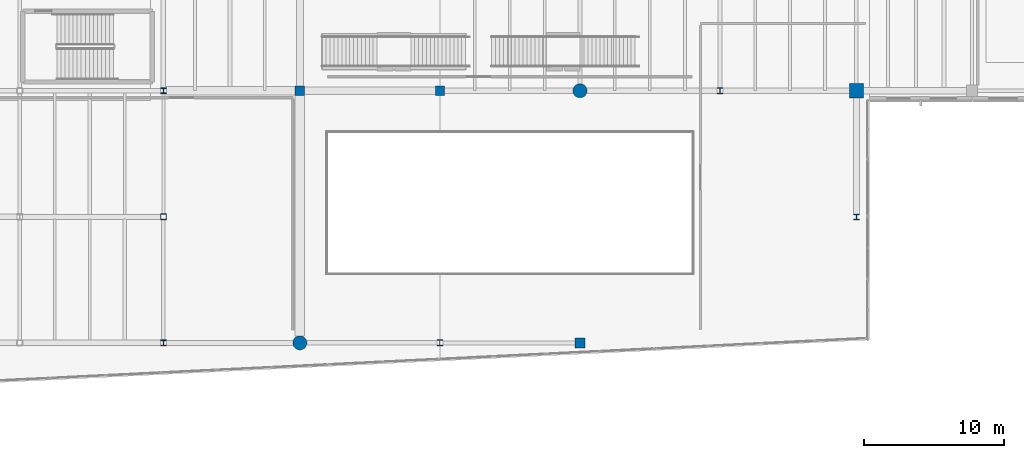
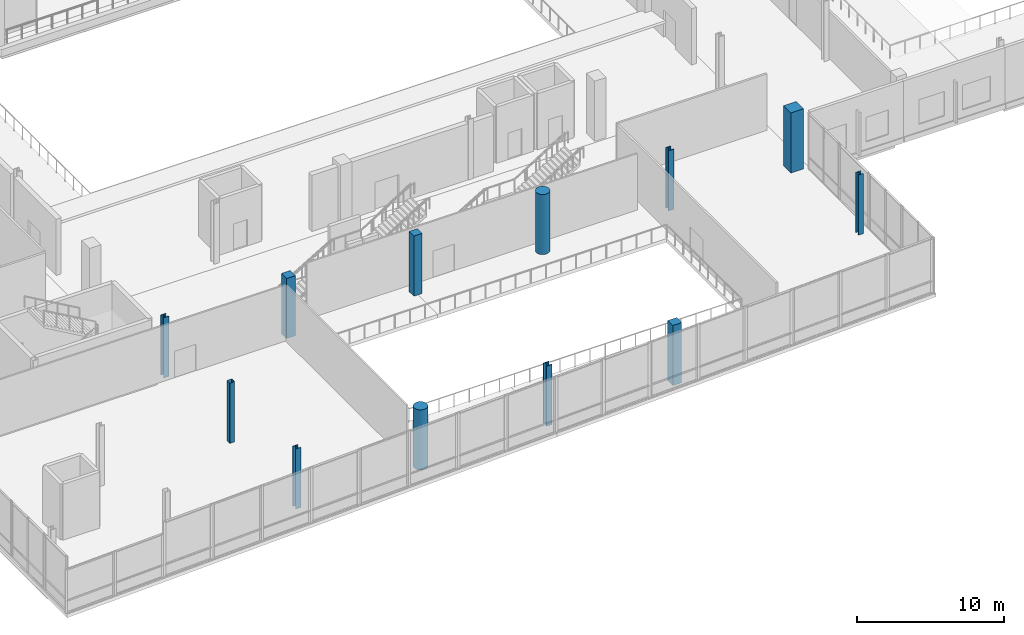
# One storey, part 4 of 81: 12 columns.
"""IFC4 building model written with IfcOpenShell, lengths in metres."""

import ifcopenshell
import ifcopenshell.guid

model = None  # the IFC model being written
_history = None  # IfcOwnerHistory: only IFC2X3 demands one
_inside = {}  # id of a spatial element -> (the spatial element, [elements in it])
_under = {}  # id of a project, library or spatial element -> (it, [spatial elements below it])
_declared = {}  # id of a project -> (the project, [libraries it declares])
_typed = {}  # id of a type object -> (the type object, [elements of that type])
_made_of = {}  # id of a material, layer set ... -> (it, [elements and type objects made of it])


def new_model(schema):
    """Start an empty IFC model of exactly this schema.

    Asked for "IFC4X3", IfcOpenShell would pick the latest addendum, in which some entities
    have other attributes; the version numbers below select the first issue.
    IFC2X3 requires an IfcOwnerHistory on every rooted entity: one is made here for all.
    """
    global model, _history
    if schema == "IFC4X3":
        model = ifcopenshell.file(schema_version=(4, 3, 0, 0))
    else:
        model = ifcopenshell.file(schema=schema)
    _inside.clear()
    _under.clear()
    _declared.clear()
    _typed.clear()
    _made_of.clear()
    _history = None
    if model.schema == "IFC2X3":
        org = make("IfcOrganization", Name="unknown")
        user = make(
            "IfcPersonAndOrganization",
            ThePerson=make("IfcPerson", FamilyName="unknown"),
            TheOrganization=org,
        )
        app = make(
            "IfcApplication",
            ApplicationDeveloper=org,
            Version="unknown",
            ApplicationFullName="unknown",
            ApplicationIdentifier="unknown",
        )
        _history = make(
            "IfcOwnerHistory",
            OwningUser=user,
            OwningApplication=app,
            ChangeAction="ADDED",
            CreationDate=0,
        )
    return model


def make(cls, **values):
    """One entity of the class cls with the attributes given. An attribute that is None is left unset."""
    return model.create_entity(
        cls, **{name: value for name, value in values.items() if value is not None}
    )


def rooted(cls, **values):
    """An entity with a GlobalId (a new one), such as an element, a storey or a relation."""
    return make(cls, GlobalId=ifcopenshell.guid.new(), OwnerHistory=_history, **values)


def si_unit(unit_type, name, prefix=None):
    """IfcSIUnit, for example si_unit("LENGTHUNIT", "METRE", prefix="MILLI")."""
    return make("IfcSIUnit", UnitType=unit_type, Prefix=prefix, Name=name)


def assignment(units):
    """IfcUnitAssignment: the units of a project."""
    return None if units is None else make("IfcUnitAssignment", Units=units)


def point(xyz):
    """IfcCartesianPoint."""
    return None if xyz is None else make("IfcCartesianPoint", Coordinates=xyz)


def direction(xyz):
    """IfcDirection."""
    return None if xyz is None else make("IfcDirection", DirectionRatios=xyz)


def frame(location, z_axis=None, x_axis=None):
    """IfcAxis2Placement3D, a coordinate frame: its origin and axes. An axis left out is left unset."""
    return make(
        "IfcAxis2Placement3D",
        Location=point(location),
        Axis=direction(z_axis),
        RefDirection=direction(x_axis),
    )


def frame_2d(location, x_axis=None):
    """IfcAxis2Placement2D, a coordinate frame in the plane: its origin and x axis."""
    return make(
        "IfcAxis2Placement2D", Location=point(location), RefDirection=direction(x_axis)
    )


def origin():
    """The frame at (0, 0, 0) with its axes left unset."""
    return frame((0.0, 0.0, 0.0))


def origin_2d():
    """The frame at (0, 0) in the plane with its x axis left unset."""
    return frame_2d((0.0, 0.0))


def place(relative_to, where):
    """IfcLocalPlacement: puts the frame where relative to a parent placement (None: the world)."""
    return make(
        "IfcLocalPlacement", PlacementRelTo=relative_to, RelativePlacement=where
    )


def context(
    kind, dimensions, precision=None, world=None, true_north=None, identifier=None
):
    """IfcGeometricRepresentationContext, for example the 3D "Model" context."""
    return make(
        "IfcGeometricRepresentationContext",
        ContextIdentifier=identifier,
        ContextType=kind,
        CoordinateSpaceDimension=dimensions,
        Precision=precision,
        WorldCoordinateSystem=world,
        TrueNorth=true_north,
    )


def subcontext(parent, identifier, kind, view, scale=None):
    """IfcGeometricRepresentationSubContext, for example "Body" below "Model"."""
    return make(
        "IfcGeometricRepresentationSubContext",
        ContextIdentifier=identifier,
        ContextType=kind,
        ParentContext=parent,
        TargetScale=scale,
        TargetView=view,
    )


def project(units=None, contexts=None):
    """IfcProject with its units and contexts."""
    return rooted(
        "IfcProject",
        Name="project",
        RepresentationContexts=contexts,
        UnitsInContext=assignment(units),
    )


def spatial(cls, under=None, at=None, **own):
    """A site, building, storey or space (cls), placed at a placement, below another one or the project."""
    s = rooted(cls, ObjectPlacement=at, **own)
    if under is not None:
        _under.setdefault(under.id(), (under, []))[1].append(s)
    return s


def profile(cls, at=None, kind="AREA", **sizes):
    """A parametric profile (cls). Its sizes go by their IFC names, for example OverallWidth=200.0."""
    return make(cls, ProfileType=kind, Position=at, **sizes)


def rectangle(**sizes):
    """IfcRectangleProfileDef."""
    return profile("IfcRectangleProfileDef", **sizes)


def hollow_rectangle(**sizes):
    """IfcRectangleHollowProfileDef."""
    return profile("IfcRectangleHollowProfileDef", **sizes)


def circle(**sizes):
    """IfcCircleProfileDef."""
    return profile("IfcCircleProfileDef", **sizes)


def i_section(**sizes):
    """IfcIShapeProfileDef."""
    return profile("IfcIShapeProfileDef", **sizes)


def extrude(swept, where, along, depth):
    """IfcExtrudedAreaSolid: the profile swept, set in the frame where, extruded along a direction by depth."""
    return make(
        "IfcExtrudedAreaSolid",
        SweptArea=swept,
        Position=where,
        ExtrudedDirection=direction(along),
        Depth=depth,
    )


def shape(context_of_items, identifier, shape_type, items):
    """IfcShapeRepresentation: the items that make up one representation, for example the "Body"."""
    return make(
        "IfcShapeRepresentation",
        ContextOfItems=context_of_items,
        RepresentationIdentifier=identifier,
        RepresentationType=shape_type,
        Items=items,
    )


def material(Name=None, Category=None):
    """IfcMaterial."""
    return make("IfcMaterial", Name=Name, Category=Category)


def material_profile(
    of_material, cross_section, Name=None, Category=None, Priority=None
):
    """IfcMaterialProfile: a cross section and its material."""
    return make(
        "IfcMaterialProfile",
        Name=Name,
        Material=of_material,
        Profile=cross_section,
        Priority=Priority,
        Category=Category,
    )


def profile_set(profiles, Name=None, composite=None):
    """IfcMaterialProfileSet."""
    return make(
        "IfcMaterialProfileSet",
        Name=Name,
        MaterialProfiles=profiles,
        CompositeProfile=composite,
    )


def made_of(thing, what):
    """Note that an element or type object is made of a material, layer set ...; save() writes the relation."""
    if what is not None:
        _made_of.setdefault(what.id(), (what, []))[1].append(thing)
    return thing


def type_object(cls, material=None, **own):
    """A type object (cls), such as IfcWallType, which elements share."""
    return made_of(rooted(cls, **own), material)


def element(
    cls,
    number,
    at=None,
    inside=None,
    cuts=None,
    type_object=None,
    material=None,
    context=None,
    identifier="Body",
    shape_type=None,
    held_by="IfcProductDefinitionShape",
    body=None,
    shapes=None,
    **own,
):
    """One element of the class cls, such as IfcWall. Its Tag is "e" and its number.

    at: its placement. inside: the storey or other place that contains it. cuts: it is an
    opening in that element (IfcRelVoidsElement). A single representation is given by context,
    identifier, shape_type and body (its items); several are given by shapes. held_by: the class
    of the entity that holds the representations. save() writes the other relations.
    """
    e = rooted(cls, Tag="e%d" % number, ObjectPlacement=at, **own)
    if body is not None:
        shapes = [shape(context, identifier, shape_type, body)]
    if shapes is not None:
        e.Representation = make(held_by, Representations=shapes)
    if inside is not None:
        _inside.setdefault(inside.id(), (inside, []))[1].append(e)
    if cuts is not None:
        rooted(
            "IfcRelVoidsElement", RelatingBuildingElement=cuts, RelatedOpeningElement=e
        )
    if type_object is not None:
        _typed.setdefault(type_object.id(), (type_object, []))[1].append(e)
    return made_of(e, material)


def aggregate(whole, parts):
    """IfcRelAggregates: a whole, such as a stair, and the parts it consists of."""
    return rooted("IfcRelAggregates", RelatingObject=whole, RelatedObjects=parts)


def save(model, path):
    """Write the relations noted so far, then the file.

    IfcRelAggregates (storeys below a building ...), IfcRelContainedInSpatialStructure (elements
    in a storey), IfcRelDefinesByType, IfcRelAssociatesMaterial and IfcRelDeclares: one each for
    every whole, place, type object, material and project.
    """
    for whole, parts in _under.values():
        aggregate(whole, parts)
    for where, things in _inside.values():
        rooted(
            "IfcRelContainedInSpatialStructure",
            RelatedElements=things,
            RelatingStructure=where,
        )
    for kind, things in _typed.values():
        rooted("IfcRelDefinesByType", RelatedObjects=things, RelatingType=kind)
    for what, things in _made_of.values():
        rooted("IfcRelAssociatesMaterial", RelatedObjects=things, RelatingMaterial=what)
    for by, libraries in _declared.values():
        rooted("IfcRelDeclares", RelatingContext=by, RelatedDefinitions=libraries)
    model.write(path)


model = new_model("IFC4")

# Units and contexts
model_context = context("Model", 3, precision=1e-05, world=origin(), true_north=direction((0.0, 1.0)))
body_context = subcontext(model_context, "Body", "Model", "MODEL_VIEW")
ifc_project = project(units=[si_unit("LENGTHUNIT", "METRE"), si_unit("AREAUNIT", "SQUARE_METRE"), si_unit("VOLUMEUNIT", "CUBIC_METRE"), si_unit("PLANEANGLEUNIT", "RADIAN"), si_unit("MASSUNIT", "GRAM", prefix="KILO")], contexts=[model_context])

# Site, building, storey
site_placement = place(None, origin())
site = spatial("IfcSite", under=ifc_project, at=site_placement, CompositionType="ELEMENT")
building_placement = place(site_placement, origin())
building = spatial("IfcBuilding", under=site, at=building_placement, Name="Trimount Lyric Opera House", CompositionType="ELEMENT")
storey_placement = place(building_placement, frame((0.0, 0.0, 5.0)))
storey = spatial("IfcBuildingStorey", under=building, at=storey_placement, Name="L01", CompositionType="ELEMENT", Elevation=5.0)

# Columns
ifc_material_1 = material(Name="Steel ASTM A992 Grade 50", Category="steel")
ifc_material_profile_1 = material_profile(ifc_material_1, i_section(OverallWidth=0.406005859375, OverallDepth=0.4169921875, WebThickness=0.02978515625, FlangeThickness=0.048095703125, FilletRadius=0.01806640625, at=origin_2d()), Name="W14X257")
ifc_profile_set_1 = profile_set([ifc_material_profile_1], Name="Steel ASTM A992 Grade 50")
column_type_1 = type_object("IfcColumnType", Name="C-02", PredefinedType="COLUMN", material=ifc_profile_set_1)
for number, where, z_axis, x_axis, name in (
    (1, (64.260009765625, 26.0, 0.0), (0.0, 0.0, 1.0), (1.0, 0.0, 0.0), "L01 column 8/D"),
    (2, (64.260009765625, 44.0, 0.0), (0.0, 0.0, 1.0), (1.0, 0.0, 0.0), "L01 column 8/F"),
):
    element("IfcColumn", number, at=place(storey_placement, frame(where, z_axis=z_axis, x_axis=x_axis)), inside=storey, type_object=column_type_1, Name=name, PredefinedType="COLUMN", context=body_context, shape_type="SweptSolid", body=[
        extrude(i_section(OverallWidth=0.406005859375, OverallDepth=0.4169921875, WebThickness=0.02978515625, FlangeThickness=0.048095703125, FilletRadius=0.01806640625, at=origin_2d()), origin(), (0.0, 0.0, 1.0), 5.0),
    ])
ifc_material_2 = material(Name="Steel ASTM A992 Grade 50", Category="steel")
ifc_material_profile_2 = material_profile(ifc_material_2, i_section(OverallWidth=0.39892578125, OverallDepth=0.385986328125, WebThickness=0.02099609375, FlangeThickness=0.033203125, FilletRadius=0.01611328125, at=origin_2d()), Name="W14X176")
ifc_profile_set_2 = profile_set([ifc_material_profile_2], Name="Steel ASTM A992 Grade 50")
column_type_2 = type_object("IfcColumnType", Name="C-03", PredefinedType="COLUMN", material=ifc_profile_set_2)
column_1_placement = place(storey_placement, frame((113.739990234375, 35.0, 0.0), z_axis=(0.0, 0.0, 1.0), x_axis=(1.0, 0.0, 0.0)))
element("IfcColumn", 3, at=column_1_placement, inside=storey, type_object=column_type_2, Name="L01 column 13/E", PredefinedType="COLUMN", context=body_context, shape_type="SweptSolid", body=[
    extrude(i_section(OverallWidth=0.39892578125, OverallDepth=0.385986328125, WebThickness=0.02099609375, FlangeThickness=0.033203125, FilletRadius=0.01611328125, at=origin_2d()), origin(), (0.0, 0.0, 1.0), 5.0),
])
ifc_material_3 = material(Name="Steel ASTM A500 Grade C", Category="steel")
ifc_material_profile_3 = material_profile(ifc_material_3, hollow_rectangle(XDim=0.406494140625, YDim=0.406494140625, WallThickness=0.014892578125, InnerFilletRadius=0.01513671875, OuterFilletRadius=0.030029296875, at=origin_2d()), Name="HSS406.4X406.4X15.9")
ifc_profile_set_3 = profile_set([ifc_material_profile_3], Name="Steel ASTM A500 Grade C")
column_type_3 = type_object("IfcColumnType", Name="C-07", PredefinedType="COLUMN", material=ifc_profile_set_3)
column_2_placement = place(storey_placement, frame((64.260009765625, 35.0, 0.0), z_axis=(0.0, 0.0, 1.0), x_axis=(1.0, 0.0, 0.0)))
element("IfcColumn", 4, at=column_2_placement, inside=storey, type_object=column_type_3, Name="L01 column 8/E", PredefinedType="COLUMN", context=body_context, shape_type="SweptSolid", body=[
    extrude(hollow_rectangle(XDim=0.406494140625, YDim=0.406494140625, WallThickness=0.014892578125, InnerFilletRadius=0.01513671875, OuterFilletRadius=0.030029296875, at=origin_2d()), origin(), (0.0, 0.0, 1.0), 5.0),
])
ifc_material_4 = material(Name="Steel ASTM A992 Grade 50", Category="steel")
ifc_material_profile_4 = material_profile(ifc_material_4, i_section(OverallWidth=0.422119140625, OverallDepth=0.465087890625, WebThickness=0.044921875, FlangeThickness=0.072509765625, FilletRadius=0.02001953125, at=origin_2d()), Name="W14X398")
ifc_profile_set_4 = profile_set([ifc_material_profile_4], Name="Steel ASTM A992 Grade 50")
column_type_4 = type_object("IfcColumnType", Name="C-10", PredefinedType="COLUMN", material=ifc_profile_set_4)
for number, where, z_axis, x_axis, name in (
    (5, (84.0, 26.0, 0.0), (0.0, 0.0, 1.0), (1.0, 0.0, 0.0), "L01 column 10/D"),
    (6, (104.0, 44.0, 0.0), (0.0, 0.0, 1.0), (1.0, 0.0, 0.0), "L01 column 12/F"),
):
    element("IfcColumn", number, at=place(storey_placement, frame(where, z_axis=z_axis, x_axis=x_axis)), inside=storey, type_object=column_type_4, Name=name, PredefinedType="COLUMN", context=body_context, shape_type="SweptSolid", body=[
        extrude(i_section(OverallWidth=0.422119140625, OverallDepth=0.465087890625, WebThickness=0.044921875, FlangeThickness=0.072509765625, FilletRadius=0.02001953125, at=origin_2d()), origin(), (0.0, 0.0, 1.0), 5.0),
    ])
ifc_material_5 = material(Name="Concrete C50/60", Category="concrete")
ifc_material_profile_5 = material_profile(ifc_material_5, rectangle(XDim=1.0, YDim=1.0, at=origin_2d()), Name="RC1000X1000")
ifc_profile_set_5 = profile_set([ifc_material_profile_5], Name="Concrete C50/60")
column_type_5 = type_object("IfcColumnType", Name="C-12", PredefinedType="COLUMN", material=ifc_profile_set_5)
column_3_placement = place(storey_placement, frame((113.739990234375, 44.0, 0.0), z_axis=(0.0, 0.0, 1.0), x_axis=(1.0, 0.0, 0.0)))
element("IfcColumn", 7, at=column_3_placement, inside=storey, type_object=column_type_5, Name="L01 column 13/F", PredefinedType="COLUMN", context=body_context, shape_type="SweptSolid", body=[
    extrude(rectangle(XDim=1.0, YDim=1.0, at=origin_2d()), origin(), (0.0, 0.0, 1.0), 5.0),
])
ifc_material_6 = material(Name="Concrete C40/50", Category="concrete")
ifc_material_profile_6 = material_profile(ifc_material_6, rectangle(XDim=0.699951171875, YDim=0.699951171875, at=origin_2d()), Name="RC700X700")
ifc_profile_set_6 = profile_set([ifc_material_profile_6], Name="Concrete C40/50")
column_type_6 = type_object("IfcColumnType", Name="C-16", PredefinedType="COLUMN", material=ifc_profile_set_6)
for number, where, z_axis, x_axis, name in (
    (8, (74.0, 44.0, 0.0), (0.0, 0.0, 1.0), (1.0, 0.0, 0.0), "L01 column 9/F"),
    (9, (94.0, 26.0, 0.0), (0.0, 0.0, 1.0), (1.0, 0.0, 0.0), "L01 column 11/D"),
):
    element("IfcColumn", number, at=place(storey_placement, frame(where, z_axis=z_axis, x_axis=x_axis)), inside=storey, type_object=column_type_6, Name=name, PredefinedType="COLUMN", context=body_context, shape_type="SweptSolid", body=[
        extrude(rectangle(XDim=0.699951171875, YDim=0.699951171875, at=origin_2d()), origin(), (0.0, 0.0, 1.0), 5.0),
    ])
ifc_material_7 = material(Name="Concrete C40/50", Category="concrete")
ifc_material_profile_7 = material_profile(ifc_material_7, rectangle(XDim=0.64990234375, YDim=0.64990234375, at=origin_2d()), Name="RC650X650")
ifc_profile_set_7 = profile_set([ifc_material_profile_7], Name="Concrete C40/50")
column_type_7 = type_object("IfcColumnType", Name="C-17", PredefinedType="COLUMN", material=ifc_profile_set_7)
column_4_placement = place(storey_placement, frame((84.0, 44.0, 0.0), z_axis=(0.0, 0.0, 1.0), x_axis=(1.0, 0.0, 0.0)))
element("IfcColumn", 10, at=column_4_placement, inside=storey, type_object=column_type_7, Name="L01 column 10/F", PredefinedType="COLUMN", context=body_context, shape_type="SweptSolid", body=[
    extrude(rectangle(XDim=0.64990234375, YDim=0.64990234375, at=origin_2d()), origin(), (0.0, 0.0, 1.0), 5.0),
])
ifc_material_8 = material(Name="Concrete C50/60", Category="concrete")
ifc_material_profile_8 = material_profile(ifc_material_8, circle(Radius=0.5, at=origin_2d()), Name="RC-D1000")
ifc_profile_set_8 = profile_set([ifc_material_profile_8], Name="Concrete C50/60")
column_type_8 = type_object("IfcColumnType", Name="C-18", PredefinedType="COLUMN", material=ifc_profile_set_8)
for number, where, z_axis, x_axis, name in (
    (11, (74.0, 26.0, 0.0), (0.0, 0.0, 1.0), (1.0, 0.0, 0.0), "L01 column 9/D"),
    (12, (94.0, 44.0, 0.0), (0.0, 0.0, 1.0), (1.0, 0.0, 0.0), "L01 column 11/F"),
):
    element("IfcColumn", number, at=place(storey_placement, frame(where, z_axis=z_axis, x_axis=x_axis)), inside=storey, type_object=column_type_8, Name=name, PredefinedType="COLUMN", context=body_context, shape_type="SweptSolid", body=[
        extrude(circle(Radius=0.5, at=origin_2d()), origin(), (0.0, 0.0, 1.0), 5.0),
    ])

save(model, "model.ifc")
